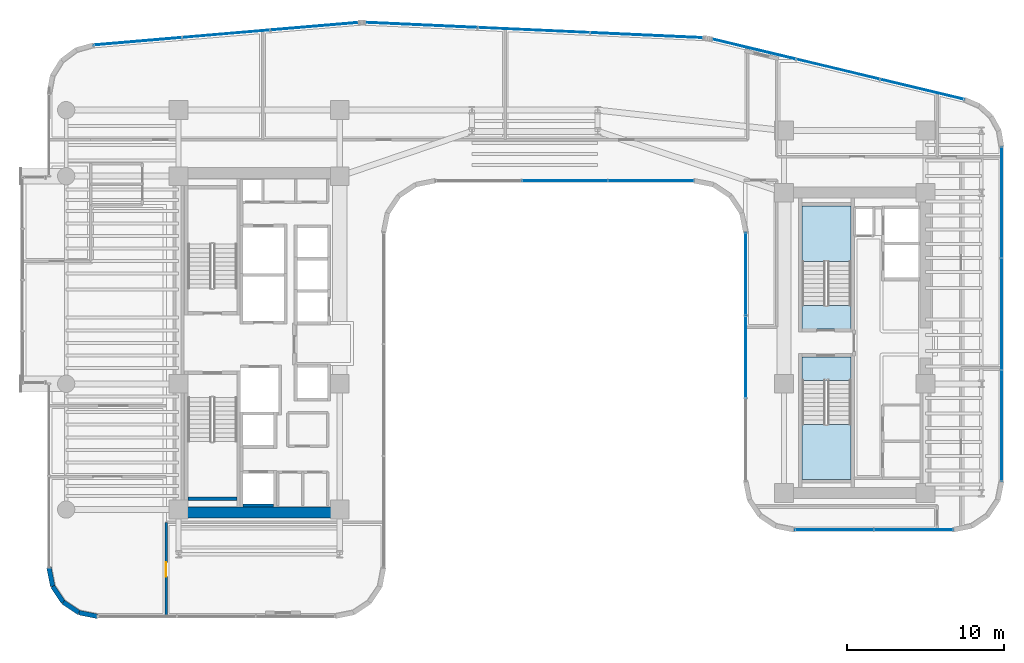
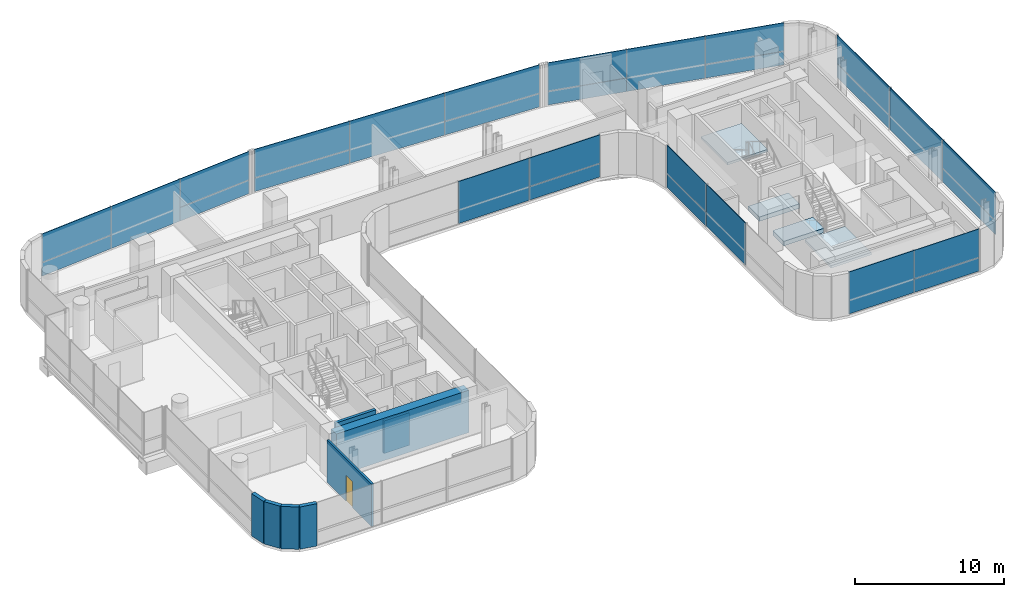
# One storey, part 25 of 34: 29 plates, 8 walls, 4 slabs, 1 door, 1 opening, 9 elements without a shape of their own.
"""IFC4 building model written with IfcOpenShell, lengths in metres."""

from ifc_helpers import new_model, si_unit, direction, frame, frame_2d, origin, origin_2d, place, context, subcontext, project, spatial, polyline, rectangle, outline, extrude, source, transform, mapped, material, layer, layer_set, type_object, element, fill, aggregate, save


model = new_model("IFC4")

# Units and contexts
model_context = context("Model", 3, precision=1e-05, world=origin(), true_north=direction((0.0, 1.0)))
body_context = subcontext(model_context, "Body", "Model", "MODEL_VIEW")
ifc_project = project(units=[si_unit("LENGTHUNIT", "METRE"), si_unit("AREAUNIT", "SQUARE_METRE"), si_unit("VOLUMEUNIT", "CUBIC_METRE"), si_unit("PLANEANGLEUNIT", "RADIAN"), si_unit("MASSUNIT", "GRAM", prefix="KILO")], contexts=[model_context])

# Site, building, storey
site_placement = place(None, origin())
site = spatial("IfcSite", under=ifc_project, at=site_placement, CompositionType="ELEMENT")
building_placement = place(site_placement, origin())
building = spatial("IfcBuilding", under=site, at=building_placement, Name="Valdorenza Pilgrim Sanctuary Tower", CompositionType="ELEMENT")
storey_placement = place(building_placement, frame((0.0, 0.0, 146.39990234375)))
storey = spatial("IfcBuildingStorey", under=building, at=storey_placement, Name="L37", CompositionType="ELEMENT", Elevation=146.39990234375)

# Stair, slab
ifc_material_1 = material(Name="Concrete C40/50", Category="concrete")
stair_type = type_object("IfcStairType", Name="STR-DOG-CORE", PredefinedType="HALF_TURN_STAIR", material=ifc_material_1)
stair_1_placement = place(storey_placement, origin())
stair_1 = element("IfcStair", 1, at=stair_1_placement, inside=storey, type_object=stair_type, Name="L37 ST-B1", PredefinedType="HALF_TURN_STAIR")
ifc_layer_1 = layer(ifc_material_1, 0.199951171875, Name="Concrete C40/50")
ifc_layer_set_1 = layer_set([ifc_layer_1], Name="Concrete C40/50")
slab_type_1 = type_object("IfcSlabType", Name="SLAB-STL-200", PredefinedType="LANDING", material=ifc_layer_set_1)
slab_1_placement = place(storey_placement, frame((0.0, 0.0, 1.650146484375)))
slab_1 = element("IfcSlab", 2, at=slab_1_placement, type_object=slab_type_1, Name="ST-B1 landing 1", PredefinedType="LANDING", context=body_context, shape_type="SweptSolid", body=[
    extrude(outline(polyline([(20.110107421875, 5.179931640625), (20.110107421875, 8.699951171875), (17.0, 8.699951171875), (17.0, 5.179931640625), (20.110107421875, 5.179931640625)])), origin(), (0.0, 0.0, 1.0), 0.199951171875),
])
aggregate(stair_1, [slab_1])

stair_2_placement = place(storey_placement, origin())
stair_2 = element("IfcStair", 3, at=stair_2_placement, inside=storey, type_object=stair_type, Name="L37 ST-B2", PredefinedType="HALF_TURN_STAIR")
slab_2_placement = place(storey_placement, frame((0.0, 0.0, 1.650146484375)))
slab_2 = element("IfcSlab", 4, at=slab_2_placement, type_object=slab_type_1, Name="ST-B2 landing 1", PredefinedType="LANDING", context=body_context, shape_type="SweptSolid", body=[
    extrude(outline(polyline([(17.0, -5.179931640625), (17.0, -8.699951171875), (20.110107421875, -8.699951171875), (20.110107421875, -5.179931640625), (17.0, -5.179931640625)])), origin(), (0.0, 0.0, 1.0), 0.199951171875),
])
aggregate(stair_2, [slab_2])

# Slabs
ifc_material_2 = material(Name="Concrete C50/60", Category="concrete")
ifc_layer_2 = layer(ifc_material_2, 0.39990234375, Name="Concrete C50/60")
ifc_layer_set_2 = layer_set([ifc_layer_2], Name="Concrete C50/60")
slab_type_2 = type_object("IfcSlabType", Name="SLAB-TRF-400", PredefinedType="FLOOR", material=ifc_layer_set_2)
slab_3_placement = place(storey_placement, frame((0.0, 0.0, -0.35986328125)))
element("IfcSlab", 5, at=slab_3_placement, inside=storey, type_object=slab_type_2, Name="L37 ST-B1 Structural Stair Landing Bearing Slab", PredefinedType="FLOOR", context=body_context, shape_type="SweptSolid", body=[
    extrude(outline(polyline([(17.0, 0.89990234375), (20.110107421875, 0.89990234375), (20.110107421875, 2.385009765625), (17.0, 2.385009765625), (17.0, 0.89990234375)])), origin(), (0.0, 0.0, 1.0), 0.35986328125),
])
slab_4_placement = place(storey_placement, frame((0.0, 0.0, -0.35986328125)))
element("IfcSlab", 6, at=slab_4_placement, inside=storey, type_object=slab_type_2, Name="L37 ST-B2 Structural Stair Landing Bearing Slab", PredefinedType="FLOOR", context=body_context, shape_type="SweptSolid", body=[
    extrude(outline(polyline([(17.0, -2.385009765625), (20.110107421875, -2.385009765625), (20.110107421875, -0.89990234375), (17.0, -0.89990234375), (17.0, -2.385009765625)])), origin(), (0.0, 0.0, 1.0), 0.35986328125),
])

# Curtain wall, plates
ifc_material_3 = material(Name="Curtain-wall IGU glazing", Category="glass")
curtain_wall_type_1 = type_object("IfcCurtainWallType", Name="CW-SYS-02", PredefinedType="NOTDEFINED", material=ifc_material_3)
curtain_wall_1_placement = place(storey_placement, origin())
curtain_wall_1 = element("IfcCurtainWall", 7, at=curtain_wall_1_placement, inside=storey, type_object=curtain_wall_type_1, Name="L37 Curtain Wall CW-L37-1-36", PredefinedType="NOTDEFINED")
ifc_material_4 = material(Name="Honed travertine limestone", Category="masonry")
ifc_layer_3 = layer(ifc_material_4, 0.050048828125, Name="Honed travertine limestone")
ifc_layer_set_3 = layer_set([ifc_layer_3], Name="Honed travertine limestone")
plate_type_1 = type_object("IfcPlateType", Name="CW-SPN-TRV", PredefinedType="USERDEFINED", material=ifc_layer_set_3)
shared_shape_1 = source(origin(), body_context, "Body", "SweptSolid", [
    extrude(rectangle(XDim=5.453857421875, YDim=0.06005859375, at=origin_2d()), origin(), (0.0, 0.0, 1.0), 1.10009765625),
])
plate_1_placement = place(storey_placement, frame((7.373779296875, 10.31005859375, 0.010009765625), z_axis=(0.0, 0.0, 1.0), x_axis=(-1.0, 0.0, 0.0)))
plate_1 = element("IfcPlate", 8, at=plate_1_placement, type_object=plate_type_1, Name="CW-L37-1-36 Travertine Spandrel 1", ObjectType="SPANDREL", PredefinedType="USERDEFINED", context=body_context, shape_type="MappedRepresentation", body=[
    mapped(shared_shape_1, transform((0.0, 0.0, 0.0), x_axis=(1.0, 0.0, 0.0), y_axis=(0.0, 1.0, 0.0), z_axis=(0.0, 0.0, 1.0), scale=1.0)),
])
ifc_material_5 = material(Name="Ceramic-fritted low-E IGU glazing", Category="glass")
ifc_layer_4 = layer(ifc_material_5, 0.035888671875, Name="Ceramic-fritted low-E IGU glazing")
ifc_layer_set_4 = layer_set([ifc_layer_4], Name="Ceramic-fritted low-E IGU glazing")
plate_type_2 = type_object("IfcPlateType", Name="CW-GLZ-IGU", PredefinedType="USERDEFINED", material=ifc_layer_set_4)
shared_shape_2 = source(origin(), body_context, "Body", "SweptSolid", [
    extrude(rectangle(XDim=5.453857421875, YDim=0.050048828125, at=origin_2d()), origin(), (0.0, 0.0, 1.0), 2.320068359375),
])
plate_2_placement = place(storey_placement, frame((7.373779296875, 10.31005859375, 1.1298828125), z_axis=(0.0, 0.0, 1.0), x_axis=(-1.0, 0.0, 0.0)))
plate_2 = element("IfcPlate", 9, at=plate_2_placement, type_object=plate_type_2, Name="CW-L37-1-36 Facade Panel 1", ObjectType="GLAZING", PredefinedType="USERDEFINED", context=body_context, shape_type="MappedRepresentation", body=[
    mapped(shared_shape_2, transform((0.0, 0.0, 0.0), x_axis=(1.0, 0.0, 0.0), y_axis=(0.0, 1.0, 0.0), z_axis=(0.0, 0.0, 1.0), scale=1.0)),
])
shared_shape_3 = source(origin(), body_context, "Body", "SweptSolid", [
    extrude(rectangle(XDim=5.453857421875, YDim=0.050048828125, at=origin_2d()), origin(), (0.0, 0.0, 1.0), 3.43994140625),
])
plate_3_placement = place(storey_placement, frame((1.89990234375, 10.31005859375, 0.010009765625), z_axis=(0.0, 0.0, 1.0), x_axis=(-1.0, 0.0, 0.0)))
plate_3 = element("IfcPlate", 10, at=plate_3_placement, type_object=plate_type_2, Name="CW-L37-1-36 Full-Height Facade Panel 2", ObjectType="GLAZING", PredefinedType="USERDEFINED", context=body_context, shape_type="MappedRepresentation", body=[
    mapped(shared_shape_3, transform((0.0, 0.0, 0.0), x_axis=(1.0, 0.0, 0.0), y_axis=(0.0, 1.0, 0.0), z_axis=(0.0, 0.0, 1.0), scale=1.0)),
])
aggregate(curtain_wall_1, [plate_1, plate_2, plate_3])

curtain_wall_2_placement = place(storey_placement, origin())
curtain_wall_2 = element("IfcCurtainWall", 11, at=curtain_wall_2_placement, inside=storey, type_object=curtain_wall_type_1, Name="L37 Curtain Wall CW-L37-1-6", PredefinedType="NOTDEFINED")
shared_shape_4 = source(origin(), body_context, "Body", "SweptSolid", [
    extrude(rectangle(XDim=5.61767578125, YDim=0.06005859375, at=origin_2d()), origin(), (0.0, 0.0, 1.0), 1.10009765625),
])
plate_4_placement = place(storey_placement, frame((-25.242919921875, 19.178955078125, 0.010009765625), z_axis=(0.0, 0.0, 1.0), x_axis=(0.99640764237, 0.084686541006, 0.0)))
plate_4 = element("IfcPlate", 12, at=plate_4_placement, type_object=plate_type_1, Name="CW-L37-1-6 Travertine Spandrel 1", ObjectType="SPANDREL", PredefinedType="USERDEFINED", context=body_context, shape_type="MappedRepresentation", body=[
    mapped(shared_shape_4, transform((0.0, 0.0, 0.0), x_axis=(1.0, 0.0, 0.0), y_axis=(0.0, 1.0, 0.0), z_axis=(0.0, 0.0, 1.0), scale=1.0)),
])
plate_5_placement = place(storey_placement, frame((-14.008056640625, 20.1337890625, 0.010009765625), z_axis=(0.0, 0.0, 1.0), x_axis=(0.99640764237, 0.084686541006, 0.0)))
plate_5 = element("IfcPlate", 13, at=plate_5_placement, type_object=plate_type_1, Name="CW-L37-1-6 Travertine Spandrel 3", ObjectType="SPANDREL", PredefinedType="USERDEFINED", context=body_context, shape_type="MappedRepresentation", body=[
    mapped(shared_shape_4, transform((0.0, 0.0, 0.0), x_axis=(1.0, 0.0, 0.0), y_axis=(0.0, 1.0, 0.0), z_axis=(0.0, 0.0, 1.0), scale=1.0)),
])

curtain_wall_3_placement = place(storey_placement, origin())
curtain_wall_3 = element("IfcCurtainWall", 14, at=curtain_wall_3_placement, inside=storey, type_object=curtain_wall_type_1, Name="L37 Curtain Wall CW-L37-1-11", PredefinedType="NOTDEFINED")
shared_shape_5 = source(origin(), body_context, "Body", "SweptSolid", [
    extrude(rectangle(XDim=7.1494140625, YDim=0.06005859375, at=origin_2d()), origin(), (0.0, 0.0, 1.0), 1.10009765625),
])
plate_6_placement = place(storey_placement, frame((-7.21484375, 20.2177734375, 0.010009765625), z_axis=(0.0, 0.0, 1.0), x_axis=(0.998968193221, -0.045415294044, 0.0)))
plate_6 = element("IfcPlate", 15, at=plate_6_placement, type_object=plate_type_1, Name="CW-L37-1-11 Travertine Spandrel 1", ObjectType="SPANDREL", PredefinedType="USERDEFINED", context=body_context, shape_type="MappedRepresentation", body=[
    mapped(shared_shape_5, transform((0.0, 0.0, 0.0), x_axis=(1.0, 0.0, 0.0), y_axis=(0.0, 1.0, 0.0), z_axis=(0.0, 0.0, 1.0), scale=1.0)),
])
plate_7_placement = place(storey_placement, frame((7.10888671875, 19.56689453125, 0.010009765625), z_axis=(0.0, 0.0, 1.0), x_axis=(0.998968193221, -0.045415294044, 0.0)))
plate_7 = element("IfcPlate", 16, at=plate_7_placement, type_object=plate_type_1, Name="CW-L37-1-11 Travertine Spandrel 3", ObjectType="SPANDREL", PredefinedType="USERDEFINED", context=body_context, shape_type="MappedRepresentation", body=[
    mapped(shared_shape_5, transform((0.0, 0.0, 0.0), x_axis=(1.0, 0.0, 0.0), y_axis=(0.0, 1.0, 0.0), z_axis=(0.0, 0.0, 1.0), scale=1.0)),
])

curtain_wall_type_2 = type_object("IfcCurtainWallType", Name="CW-SYS-03", PredefinedType="NOTDEFINED", material=ifc_material_3)
curtain_wall_4_placement = place(storey_placement, origin())
curtain_wall_4 = element("IfcCurtainWall", 17, at=curtain_wall_4_placement, inside=storey, type_object=curtain_wall_type_2, Name="L37 Curtain Wall CW-L37-1-16", PredefinedType="NOTDEFINED")
shared_shape_6 = source(origin(), body_context, "Body", "SweptSolid", [
    extrude(rectangle(XDim=5.477294921875, YDim=0.06005859375, at=origin_2d()), origin(), (0.0, 0.0, 1.0), 1.10009765625),
])
plate_8_placement = place(storey_placement, frame((13.944580078125, 18.68212890625, 0.010009765625), z_axis=(0.0, 0.0, 1.0), x_axis=(0.972528596343, -0.232783438617, 0.0)))
plate_8 = element("IfcPlate", 18, at=plate_8_placement, type_object=plate_type_1, Name="CW-L37-1-16 Travertine Spandrel 1", ObjectType="SPANDREL", PredefinedType="USERDEFINED", context=body_context, shape_type="MappedRepresentation", body=[
    mapped(shared_shape_6, transform((0.0, 0.0, 0.0), x_axis=(1.0, 0.0, 0.0), y_axis=(0.0, 1.0, 0.0), z_axis=(0.0, 0.0, 1.0), scale=1.0)),
])
plate_9_placement = place(storey_placement, frame((24.63720703125, 16.122802734375, 0.010009765625), z_axis=(0.0, 0.0, 1.0), x_axis=(0.972528596343, -0.232783438617, 0.0)))
plate_9 = element("IfcPlate", 19, at=plate_9_placement, type_object=plate_type_1, Name="CW-L37-1-16 Travertine Spandrel 3", ObjectType="SPANDREL", PredefinedType="USERDEFINED", context=body_context, shape_type="MappedRepresentation", body=[
    mapped(shared_shape_6, transform((0.0, 0.0, 0.0), x_axis=(1.0, 0.0, 0.0), y_axis=(0.0, 1.0, 0.0), z_axis=(0.0, 0.0, 1.0), scale=1.0)),
])

curtain_wall_5_placement = place(storey_placement, origin())
curtain_wall_5 = element("IfcCurtainWall", 20, at=curtain_wall_5_placement, inside=storey, type_object=curtain_wall_type_2, Name="L37 Curtain Wall CW-L37-1-21", PredefinedType="NOTDEFINED")
shared_shape_7 = source(origin(), body_context, "Body", "SweptSolid", [
    extrude(rectangle(XDim=7.065185546875, YDim=0.06005859375, at=origin_2d()), origin(), (0.0, 0.0, 1.0), 1.10009765625),
])
plate_10_placement = place(storey_placement, frame((29.68994140625, 8.923828125, 0.010009765625), z_axis=(0.0, 0.0, 1.0), x_axis=(0.0, -1.0, 0.0)))
plate_10 = element("IfcPlate", 21, at=plate_10_placement, type_object=plate_type_1, Name="CW-L37-1-21 Travertine Spandrel 1", ObjectType="SPANDREL", PredefinedType="USERDEFINED", context=body_context, shape_type="MappedRepresentation", body=[
    mapped(shared_shape_7, transform((0.0, 0.0, 0.0), x_axis=(1.0, 0.0, 0.0), y_axis=(0.0, 1.0, 0.0), z_axis=(0.0, 0.0, 1.0), scale=1.0)),
])
plate_11_placement = place(storey_placement, frame((29.68994140625, -5.24658203125, 0.010009765625), z_axis=(0.0, 0.0, 1.0), x_axis=(0.0, -1.0, 0.0)))
plate_11 = element("IfcPlate", 22, at=plate_11_placement, type_object=plate_type_1, Name="CW-L37-1-21 Travertine Spandrel 3", ObjectType="SPANDREL", PredefinedType="USERDEFINED", context=body_context, shape_type="MappedRepresentation", body=[
    mapped(shared_shape_7, transform((0.0, 0.0, 0.0), x_axis=(1.0, 0.0, 0.0), y_axis=(0.0, 1.0, 0.0), z_axis=(0.0, 0.0, 1.0), scale=1.0)),
])

# Curtain wall, plate
curtain_wall_6_placement = place(storey_placement, origin())
curtain_wall_6 = element("IfcCurtainWall", 23, at=curtain_wall_6_placement, inside=storey, type_object=curtain_wall_type_2, Name="L37 Curtain Wall CW-L37-1-26", PredefinedType="NOTDEFINED")
shared_shape_8 = source(origin(), body_context, "Body", "SweptSolid", [
    extrude(rectangle(XDim=5.019287109375, YDim=0.06005859375, at=origin_2d()), origin(), (0.0, 0.0, 1.0), 1.10009765625),
])
plate_12_placement = place(storey_placement, frame((24.069580078125, -11.889892578125, 0.010009765625), z_axis=(0.0, 0.0, 1.0), x_axis=(-1.0, 0.0, 0.0)))
plate_12 = element("IfcPlate", 24, at=plate_12_placement, type_object=plate_type_1, Name="CW-L37-1-26 Travertine Spandrel 1", ObjectType="SPANDREL", PredefinedType="USERDEFINED", context=body_context, shape_type="MappedRepresentation", body=[
    mapped(shared_shape_8, transform((0.0, 0.0, 0.0), x_axis=(1.0, 0.0, 0.0), y_axis=(0.0, 1.0, 0.0), z_axis=(0.0, 0.0, 1.0), scale=1.0)),
])

curtain_wall_7_placement = place(storey_placement, origin())
curtain_wall_7 = element("IfcCurtainWall", 25, at=curtain_wall_7_placement, inside=storey, type_object=curtain_wall_type_2, Name="L37 Curtain Wall CW-L37-1-31", PredefinedType="NOTDEFINED")
shared_shape_9 = source(origin(), body_context, "Body", "SweptSolid", [
    extrude(rectangle(XDim=5.24658203125, YDim=0.06005859375, at=origin_2d()), origin(), (0.0, 0.0, 1.0), 1.10009765625),
])
plate_13_placement = place(storey_placement, frame((13.409912109375, 4.37744140625, 0.010009765625), z_axis=(0.0, 0.0, 1.0), x_axis=(0.0, 1.0, 0.0)))
plate_13 = element("IfcPlate", 26, at=plate_13_placement, type_object=plate_type_1, Name="CW-L37-1-31 Travertine Spandrel 3", ObjectType="SPANDREL", PredefinedType="USERDEFINED", context=body_context, shape_type="MappedRepresentation", body=[
    mapped(shared_shape_9, transform((0.0, 0.0, 0.0), x_axis=(1.0, 0.0, 0.0), y_axis=(0.0, 1.0, 0.0), z_axis=(0.0, 0.0, 1.0), scale=1.0)),
])

# Plate
shared_shape_10 = source(origin(), body_context, "Body", "SweptSolid", [
    extrude(rectangle(XDim=5.61767578125, YDim=0.050048828125, at=origin_2d()), origin(), (0.0, 0.0, 1.0), 3.43994140625),
])
plate_14_placement = place(storey_placement, frame((-19.62548828125, 19.656494140625, 0.010009765625), z_axis=(0.0, 0.0, 1.0), x_axis=(0.99640764237, 0.084686541006, 0.0)))
plate_14 = element("IfcPlate", 27, at=plate_14_placement, type_object=plate_type_2, Name="CW-L37-1-6 Full-Height Facade Panel 2", ObjectType="GLAZING", PredefinedType="USERDEFINED", context=body_context, shape_type="MappedRepresentation", body=[
    mapped(shared_shape_10, transform((0.0, 0.0, 0.0), x_axis=(1.0, 0.0, 0.0), y_axis=(0.0, 1.0, 0.0), z_axis=(0.0, 0.0, 1.0), scale=1.0)),
])

shared_shape_11 = source(origin(), body_context, "Body", "SweptSolid", [
    extrude(rectangle(XDim=5.61767578125, YDim=0.050048828125, at=origin_2d()), origin(), (0.0, 0.0, 1.0), 2.320068359375),
])
plate_15_placement = place(storey_placement, frame((-25.242919921875, 19.178955078125, 1.1298828125), z_axis=(0.0, 0.0, 1.0), x_axis=(0.99640764237, 0.084686541006, 0.0)))
plate_15 = element("IfcPlate", 28, at=plate_15_placement, type_object=plate_type_2, Name="CW-L37-1-6 Facade Panel 1", ObjectType="GLAZING", PredefinedType="USERDEFINED", context=body_context, shape_type="MappedRepresentation", body=[
    mapped(shared_shape_11, transform((0.0, 0.0, 0.0), x_axis=(1.0, 0.0, 0.0), y_axis=(0.0, 1.0, 0.0), z_axis=(0.0, 0.0, 1.0), scale=1.0)),
])

plate_16_placement = place(storey_placement, frame((-14.008056640625, 20.1337890625, 1.1298828125), z_axis=(0.0, 0.0, 1.0), x_axis=(0.99640764237, 0.084686541006, 0.0)))
plate_16 = element("IfcPlate", 29, at=plate_16_placement, type_object=plate_type_2, Name="CW-L37-1-6 Facade Panel 3", ObjectType="GLAZING", PredefinedType="USERDEFINED", context=body_context, shape_type="MappedRepresentation", body=[
    mapped(shared_shape_11, transform((0.0, 0.0, 0.0), x_axis=(1.0, 0.0, 0.0), y_axis=(0.0, 1.0, 0.0), z_axis=(0.0, 0.0, 1.0), scale=1.0)),
])

aggregate(curtain_wall_2, [plate_4, plate_15, plate_14, plate_5, plate_16])

shared_shape_12 = source(origin(), body_context, "Body", "SweptSolid", [
    extrude(rectangle(XDim=7.1494140625, YDim=0.050048828125, at=origin_2d()), origin(), (0.0, 0.0, 1.0), 3.43994140625),
])
plate_17_placement = place(storey_placement, frame((-0.052978515625, 19.892333984375, 0.010009765625), z_axis=(0.0, 0.0, 1.0), x_axis=(0.998968193221, -0.045415294044, 0.0)))
plate_17 = element("IfcPlate", 30, at=plate_17_placement, type_object=plate_type_2, Name="CW-L37-1-11 Full-Height Facade Panel 2", ObjectType="GLAZING", PredefinedType="USERDEFINED", context=body_context, shape_type="MappedRepresentation", body=[
    mapped(shared_shape_12, transform((0.0, 0.0, 0.0), x_axis=(1.0, 0.0, 0.0), y_axis=(0.0, 1.0, 0.0), z_axis=(0.0, 0.0, 1.0), scale=1.0)),
])

shared_shape_13 = source(origin(), body_context, "Body", "SweptSolid", [
    extrude(rectangle(XDim=7.1494140625, YDim=0.050048828125, at=origin_2d()), origin(), (0.0, 0.0, 1.0), 2.320068359375),
])
plate_18_placement = place(storey_placement, frame((-7.21484375, 20.2177734375, 1.1298828125), z_axis=(0.0, 0.0, 1.0), x_axis=(0.998968193221, -0.045415294044, 0.0)))
plate_18 = element("IfcPlate", 31, at=plate_18_placement, type_object=plate_type_2, Name="CW-L37-1-11 Facade Panel 1", ObjectType="GLAZING", PredefinedType="USERDEFINED", context=body_context, shape_type="MappedRepresentation", body=[
    mapped(shared_shape_13, transform((0.0, 0.0, 0.0), x_axis=(1.0, 0.0, 0.0), y_axis=(0.0, 1.0, 0.0), z_axis=(0.0, 0.0, 1.0), scale=1.0)),
])

plate_19_placement = place(storey_placement, frame((7.10888671875, 19.56689453125, 1.1298828125), z_axis=(0.0, 0.0, 1.0), x_axis=(0.998968193221, -0.045415294044, 0.0)))
plate_19 = element("IfcPlate", 32, at=plate_19_placement, type_object=plate_type_2, Name="CW-L37-1-11 Facade Panel 3", ObjectType="GLAZING", PredefinedType="USERDEFINED", context=body_context, shape_type="MappedRepresentation", body=[
    mapped(shared_shape_13, transform((0.0, 0.0, 0.0), x_axis=(1.0, 0.0, 0.0), y_axis=(0.0, 1.0, 0.0), z_axis=(0.0, 0.0, 1.0), scale=1.0)),
])

aggregate(curtain_wall_3, [plate_6, plate_18, plate_17, plate_7, plate_19])

shared_shape_14 = source(origin(), body_context, "Body", "SweptSolid", [
    extrude(rectangle(XDim=5.477294921875, YDim=0.050048828125, at=origin_2d()), origin(), (0.0, 0.0, 1.0), 3.43994140625),
])
plate_20_placement = place(storey_placement, frame((19.291015625, 17.40234375, 0.010009765625), z_axis=(0.0, 0.0, 1.0), x_axis=(0.972528596343, -0.232783438617, 0.0)))
plate_20 = element("IfcPlate", 33, at=plate_20_placement, type_object=plate_type_2, Name="CW-L37-1-16 Full-Height Facade Panel 2", ObjectType="GLAZING", PredefinedType="USERDEFINED", context=body_context, shape_type="MappedRepresentation", body=[
    mapped(shared_shape_14, transform((0.0, 0.0, 0.0), x_axis=(1.0, 0.0, 0.0), y_axis=(0.0, 1.0, 0.0), z_axis=(0.0, 0.0, 1.0), scale=1.0)),
])

shared_shape_15 = source(origin(), body_context, "Body", "SweptSolid", [
    extrude(rectangle(XDim=5.477294921875, YDim=0.050048828125, at=origin_2d()), origin(), (0.0, 0.0, 1.0), 2.320068359375),
])
plate_21_placement = place(storey_placement, frame((13.944580078125, 18.68212890625, 1.1298828125), z_axis=(0.0, 0.0, 1.0), x_axis=(0.972528596343, -0.232783438617, 0.0)))
plate_21 = element("IfcPlate", 34, at=plate_21_placement, type_object=plate_type_2, Name="CW-L37-1-16 Facade Panel 1", ObjectType="GLAZING", PredefinedType="USERDEFINED", context=body_context, shape_type="MappedRepresentation", body=[
    mapped(shared_shape_15, transform((0.0, 0.0, 0.0), x_axis=(1.0, 0.0, 0.0), y_axis=(0.0, 1.0, 0.0), z_axis=(0.0, 0.0, 1.0), scale=1.0)),
])

plate_22_placement = place(storey_placement, frame((24.63720703125, 16.122802734375, 1.1298828125), z_axis=(0.0, 0.0, 1.0), x_axis=(0.972528596343, -0.232783438617, 0.0)))
plate_22 = element("IfcPlate", 35, at=plate_22_placement, type_object=plate_type_2, Name="CW-L37-1-16 Facade Panel 3", ObjectType="GLAZING", PredefinedType="USERDEFINED", context=body_context, shape_type="MappedRepresentation", body=[
    mapped(shared_shape_15, transform((0.0, 0.0, 0.0), x_axis=(1.0, 0.0, 0.0), y_axis=(0.0, 1.0, 0.0), z_axis=(0.0, 0.0, 1.0), scale=1.0)),
])

aggregate(curtain_wall_4, [plate_8, plate_21, plate_20, plate_9, plate_22])

shared_shape_16 = source(origin(), body_context, "Body", "SweptSolid", [
    extrude(rectangle(XDim=7.065185546875, YDim=0.050048828125, at=origin_2d()), origin(), (0.0, 0.0, 1.0), 2.320068359375),
])
plate_23_placement = place(storey_placement, frame((29.68994140625, 8.923828125, 1.1298828125), z_axis=(0.0, 0.0, 1.0), x_axis=(0.0, -1.0, 0.0)))
plate_23 = element("IfcPlate", 36, at=plate_23_placement, type_object=plate_type_2, Name="CW-L37-1-21 Facade Panel 1", ObjectType="GLAZING", PredefinedType="USERDEFINED", context=body_context, shape_type="MappedRepresentation", body=[
    mapped(shared_shape_16, transform((0.0, 0.0, 0.0), x_axis=(1.0, 0.0, 0.0), y_axis=(0.0, 1.0, 0.0), z_axis=(0.0, 0.0, 1.0), scale=1.0)),
])

plate_24_placement = place(storey_placement, frame((29.68994140625, -5.24658203125, 1.1298828125), z_axis=(0.0, 0.0, 1.0), x_axis=(0.0, -1.0, 0.0)))
plate_24 = element("IfcPlate", 37, at=plate_24_placement, type_object=plate_type_2, Name="CW-L37-1-21 Facade Panel 3", ObjectType="GLAZING", PredefinedType="USERDEFINED", context=body_context, shape_type="MappedRepresentation", body=[
    mapped(shared_shape_16, transform((0.0, 0.0, 0.0), x_axis=(1.0, 0.0, 0.0), y_axis=(0.0, 1.0, 0.0), z_axis=(0.0, 0.0, 1.0), scale=1.0)),
])

shared_shape_17 = source(origin(), body_context, "Body", "SweptSolid", [
    extrude(rectangle(XDim=7.065185546875, YDim=0.050048828125, at=origin_2d()), origin(), (0.0, 0.0, 1.0), 3.43994140625),
])
plate_25_placement = place(storey_placement, frame((29.68994140625, 1.838623046875, 0.010009765625), z_axis=(0.0, 0.0, 1.0), x_axis=(0.0, -1.0, 0.0)))
plate_25 = element("IfcPlate", 38, at=plate_25_placement, type_object=plate_type_2, Name="CW-L37-1-21 Full-Height Facade Panel 2", ObjectType="GLAZING", PredefinedType="USERDEFINED", context=body_context, shape_type="MappedRepresentation", body=[
    mapped(shared_shape_17, transform((0.0, 0.0, 0.0), x_axis=(1.0, 0.0, 0.0), y_axis=(0.0, 1.0, 0.0), z_axis=(0.0, 0.0, 1.0), scale=1.0)),
])

aggregate(curtain_wall_5, [plate_10, plate_23, plate_25, plate_11, plate_24])

shared_shape_18 = source(origin(), body_context, "Body", "SweptSolid", [
    extrude(rectangle(XDim=5.019287109375, YDim=0.050048828125, at=origin_2d()), origin(), (0.0, 0.0, 1.0), 2.320068359375),
])
plate_26_placement = place(storey_placement, frame((24.069580078125, -11.889892578125, 1.1298828125), z_axis=(0.0, 0.0, 1.0), x_axis=(-1.0, 0.0, 0.0)))
plate_26 = element("IfcPlate", 39, at=plate_26_placement, type_object=plate_type_2, Name="CW-L37-1-26 Facade Panel 1", ObjectType="GLAZING", PredefinedType="USERDEFINED", context=body_context, shape_type="MappedRepresentation", body=[
    mapped(shared_shape_18, transform((0.0, 0.0, 0.0), x_axis=(1.0, 0.0, 0.0), y_axis=(0.0, 1.0, 0.0), z_axis=(0.0, 0.0, 1.0), scale=1.0)),
])

shared_shape_19 = source(origin(), body_context, "Body", "SweptSolid", [
    extrude(rectangle(XDim=5.019287109375, YDim=0.050048828125, at=origin_2d()), origin(), (0.0, 0.0, 1.0), 3.43994140625),
])
plate_27_placement = place(storey_placement, frame((19.030517578125, -11.889892578125, 0.010009765625), z_axis=(0.0, 0.0, 1.0), x_axis=(-1.0, 0.0, 0.0)))
plate_27 = element("IfcPlate", 40, at=plate_27_placement, type_object=plate_type_2, Name="CW-L37-1-26 Full-Height Facade Panel 2", ObjectType="GLAZING", PredefinedType="USERDEFINED", context=body_context, shape_type="MappedRepresentation", body=[
    mapped(shared_shape_19, transform((0.0, 0.0, 0.0), x_axis=(1.0, 0.0, 0.0), y_axis=(0.0, 1.0, 0.0), z_axis=(0.0, 0.0, 1.0), scale=1.0)),
])

aggregate(curtain_wall_6, [plate_12, plate_26, plate_27])

shared_shape_20 = source(origin(), body_context, "Body", "SweptSolid", [
    extrude(rectangle(XDim=5.24658203125, YDim=0.050048828125, at=origin_2d()), origin(), (0.0, 0.0, 1.0), 2.320068359375),
])
plate_28_placement = place(storey_placement, frame((13.409912109375, 4.37744140625, 1.1298828125), z_axis=(0.0, 0.0, 1.0), x_axis=(0.0, 1.0, 0.0)))
plate_28 = element("IfcPlate", 41, at=plate_28_placement, type_object=plate_type_2, Name="CW-L37-1-31 Facade Panel 3", ObjectType="GLAZING", PredefinedType="USERDEFINED", context=body_context, shape_type="MappedRepresentation", body=[
    mapped(shared_shape_20, transform((0.0, 0.0, 0.0), x_axis=(1.0, 0.0, 0.0), y_axis=(0.0, 1.0, 0.0), z_axis=(0.0, 0.0, 1.0), scale=1.0)),
])

shared_shape_21 = source(origin(), body_context, "Body", "SweptSolid", [
    extrude(rectangle(XDim=5.24658203125, YDim=0.050048828125, at=origin_2d()), origin(), (0.0, 0.0, 1.0), 3.43994140625),
])
plate_29_placement = place(storey_placement, frame((13.409912109375, -0.88916015625, 0.010009765625), z_axis=(0.0, 0.0, 1.0), x_axis=(0.0, 1.0, 0.0)))
plate_29 = element("IfcPlate", 42, at=plate_29_placement, type_object=plate_type_2, Name="CW-L37-1-31 Full-Height Facade Panel 2", ObjectType="GLAZING", PredefinedType="USERDEFINED", context=body_context, shape_type="MappedRepresentation", body=[
    mapped(shared_shape_21, transform((0.0, 0.0, 0.0), x_axis=(1.0, 0.0, 0.0), y_axis=(0.0, 1.0, 0.0), z_axis=(0.0, 0.0, 1.0), scale=1.0)),
])

aggregate(curtain_wall_7, [plate_29, plate_13, plate_28])

# Wall, opening, door
ifc_material_6 = material(Name="Acoustic twin-stud gypsum partition", Category="gypsum")
ifc_layer_5 = layer(ifc_material_6, 0.159912109375, Name="Acoustic twin-stud gypsum partition")
ifc_layer_set_5 = layer_set([ifc_layer_5], Name="Acoustic twin-stud gypsum partition")
wall_type_1 = type_object("IfcWallType", Name="WAL-COR-160", PredefinedType="PARTITIONING", material=ifc_layer_set_5)
wall_1_placement = place(storey_placement, frame((-23.449951171875, -17.389892578125, 0.0), z_axis=(0.0, 0.0, 1.0), x_axis=(0.0, 1.0, 0.0)))
wall_1 = element("IfcWall", 43, at=wall_1_placement, inside=storey, type_object=wall_type_1, Name="L37 South-East Pocket West Wall", PredefinedType="PARTITIONING", context=body_context, shape_type="SweptSolid", body=[
    extrude(rectangle(XDim=5.969970703125, YDim=0.159912109375, at=frame_2d((2.98486328125, 0.0))), origin(), (0.0, 0.0, 1.0), 3.460205078125),
])
opening_placement = place(wall_1_placement, frame((2.534912109375, 0.0, 0.0)))
opening = element("IfcOpeningElement", 44, at=opening_placement, cuts=wall_1, Name="Opening DR-RM1", PredefinedType="OPENING", context=body_context, shape_type="SweptSolid", body=[
    extrude(rectangle(XDim=0.89990234375, YDim=2.10009765625, at=frame_2d((0.449951171875, 1.050048828125))), frame((0.0, 0.0947265625, 0.0), z_axis=(0.0, -1.0, 0.0), x_axis=(1.0, 0.0, 0.0)), (0.0, 0.0, 1.0), 0.189697265625),
])
ifc_material_7 = material(Name="Solid-core European oak timber", Category="wood")
door_type = type_object("IfcDoorType", Name="DR-ROOM-900", OperationType="NOTDEFINED", PredefinedType="DOOR", material=ifc_material_7)
door_placement = place(opening_placement, origin())
door = element("IfcDoor", 45, at=door_placement, inside=storey, type_object=door_type, Name="L37 South Panoramic Viewing Salon L37 Door", OperationType="SINGLE_SWING_RIGHT", OverallHeight=2.10009765625, OverallWidth=0.89990234375, PredefinedType="DOOR", context=body_context, shape_type="SweptSolid", body=[
    extrude(rectangle(XDim=0.89990234375, YDim=2.10009765625, at=frame_2d((0.449951171875, 1.050048828125))), frame((0.0, 0.02490234375, 0.0), z_axis=(0.0, -1.0, 0.0), x_axis=(1.0, 0.0, 0.0)), (0.0, 0.0, 1.0), 0.050048828125),
])
fill(opening, door)

# Walls
ifc_material_8 = material(Name="Concrete C60/75", Category="concrete")
ifc_layer_6 = layer(ifc_material_8, 0.699951171875, Name="Concrete C60/75")
ifc_layer_set_6 = layer_set([ifc_layer_6], Name="Concrete C60/75")
wall_type_2 = type_object("IfcWallType", Name="WAL-COR-700", PredefinedType="SHEAR", material=ifc_layer_set_6)
wall_2_placement = place(storey_placement, frame((-22.64990234375, -10.800048828125, 0.0), z_axis=(0.0, 0.0, 1.0), x_axis=(1.0, 0.0, 0.0)))
element("IfcWall", 46, at=wall_2_placement, inside=storey, type_object=wall_type_2, Name="L37 Split Core A Shear Wall S", PredefinedType="SHEAR", context=body_context, shape_type="SweptSolid", body=[
    extrude(rectangle(XDim=10.25, YDim=0.699951171875, at=frame_2d((5.125, 0.0))), origin(), (0.0, 0.0, 1.0), 3.460205078125),
])
ifc_layer_7 = layer(ifc_material_4, 0.300048828125, Name="Honed travertine limestone")
ifc_layer_set_7 = layer_set([ifc_layer_7], Name="Honed travertine limestone")
wall_type_3 = type_object("IfcWallType", Name="WAL-EXT-300", PredefinedType="SOLIDWALL", material=ifc_layer_set_7)
wall_3_placement = place(storey_placement, frame((-27.789306640625, -17.389892578125, 0.0), z_axis=(0.0, 0.0, 1.0), x_axis=(-0.980804027463, 0.194996050505, 0.0)))
element("IfcWall", 47, at=wall_3_placement, inside=storey, type_object=wall_type_3, Name="L37 Rounded Wind-Corner Stone Pier 47", PredefinedType="SOLIDWALL", context=body_context, shape_type="SweptSolid", body=[
    extrude(rectangle(XDim=1.2158203125, YDim=0.300048828125, at=frame_2d((0.60791015625, 0.0))), origin(), (0.0, 0.0, 1.0), 3.460205078125),
])
for number, where, z_axis, x_axis, name in (
    (48, (-28.981689453125, -17.15283203125, 0.0), (0.0, 0.0, 1.0), (-0.831426265255, 0.555635100982, 0.0), "L37 Rounded Wind-Corner Stone Pier 48"),
    (49, (-29.9833984375, -16.4833984375, 0.0), (0.0, 0.0, 1.0), (-0.555635100982, 0.831426265255, 0.0), "L37 Rounded Wind-Corner Stone Pier 49"),
):
    element("IfcWall", number, at=place(storey_placement, frame(where, z_axis=z_axis, x_axis=x_axis)), inside=storey, type_object=wall_type_3, Name=name, PredefinedType="SOLIDWALL", context=body_context, shape_type="SweptSolid", body=[
        extrude(rectangle(XDim=1.204833984375, YDim=0.300048828125, at=frame_2d((0.6025390625, 0.0))), origin(), (0.0, 0.0, 1.0), 3.460205078125),
    ])
wall_4_placement = place(storey_placement, frame((-30.65283203125, -15.481689453125, 0.0), z_axis=(0.0, 0.0, 1.0), x_axis=(-0.194996050505, 0.980804027463, 0.0)))
element("IfcWall", 50, at=wall_4_placement, inside=storey, type_object=wall_type_3, Name="L37 Rounded Wind-Corner Stone Pier 50", PredefinedType="SOLIDWALL", context=body_context, shape_type="SweptSolid", body=[
    extrude(rectangle(XDim=1.2158203125, YDim=0.300048828125, at=frame_2d((0.60791015625, 0.0))), origin(), (0.0, 0.0, 1.0), 3.460205078125),
])
ifc_material_9 = material(Name="Autoclaved aerated concrete blockwork", Category="masonry")
ifc_layer_8 = layer(ifc_material_9, 0.199951171875, Name="Autoclaved aerated concrete blockwork")
ifc_layer_set_8 = layer_set([ifc_layer_8], Name="Autoclaved aerated concrete blockwork")
wall_type_4 = type_object("IfcWallType", Name="WAL-SHF-200", PredefinedType="MOVABLE", material=ifc_layer_set_8)
wall_5_placement = place(storey_placement, frame((-18.550048828125, -10.35009765625, 0.0), z_axis=(0.0, 0.0, 1.0), x_axis=(1.0, 0.0, 0.0)))
element("IfcWall", 51, at=wall_5_placement, inside=storey, type_object=wall_type_4, Name="L37 Lift PL-05 Hoistway Wall South", PredefinedType="MOVABLE", context=body_context, shape_type="SweptSolid", body=[
    extrude(rectangle(XDim=1.949951171875, YDim=0.199951171875, at=frame_2d((0.97509765625, 0.0))), origin(), (0.0, 0.0, 1.0), 2.666015625),
])
ifc_layer_9 = layer(ifc_material_1, 0.219970703125, Name="Concrete C40/50")
ifc_layer_set_9 = layer_set([ifc_layer_9], Name="Concrete C40/50")
wall_type_5 = type_object("IfcWallType", Name="WAL-STR-SHF-220", PredefinedType="SHEAR", material=ifc_layer_set_9)
wall_6_placement = place(storey_placement, frame((-22.050048828125, -9.909912109375, 0.0), z_axis=(0.0, 0.0, 1.0), x_axis=(1.0, 0.0, 0.0)))
element("IfcWall", 52, at=wall_6_placement, inside=storey, type_object=wall_type_5, Name="L37 ST-A2 Structural Stairwell Wall S", PredefinedType="SHEAR", context=body_context, shape_type="SweptSolid", body=[
    extrude(rectangle(XDim=3.110107421875, YDim=0.219970703125, at=frame_2d((1.55517578125, 0.0))), origin(), (0.0, 0.0, 1.0), 3.460205078125),
])

save(model, "model.ifc")
